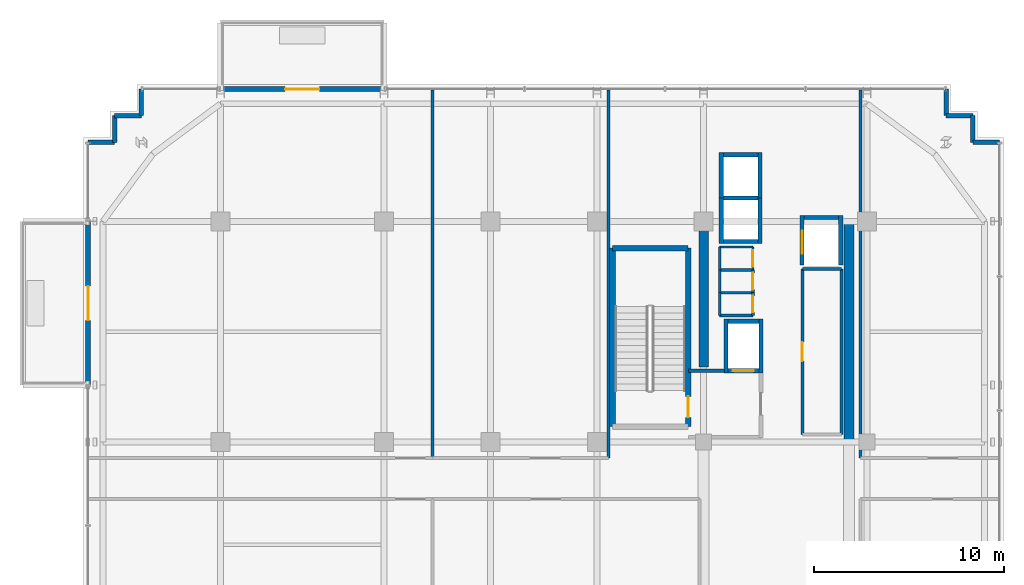
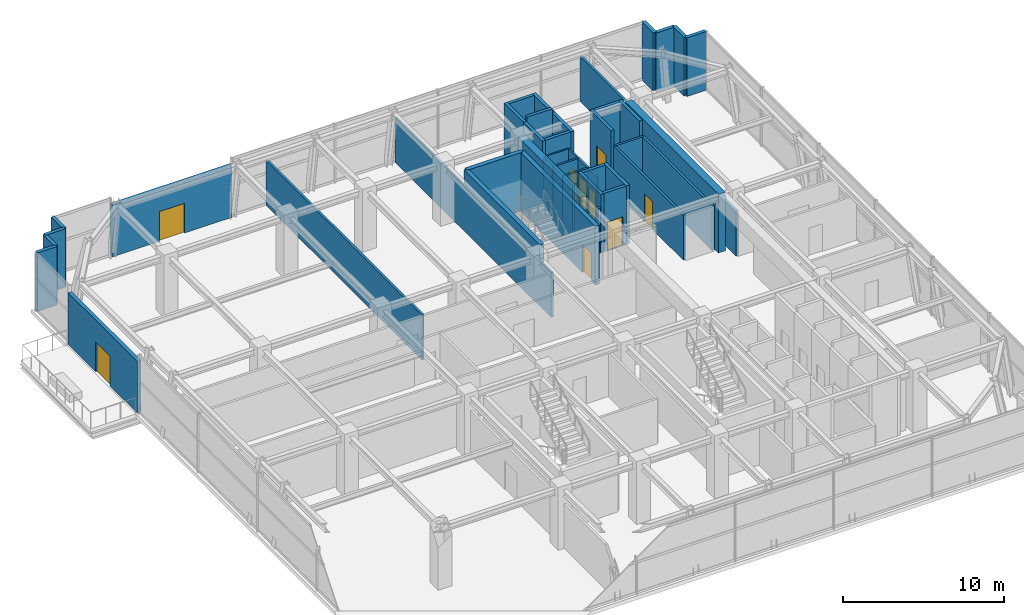
# One storey, part 23 of 28: 46 walls, 9 doors, 9 openings.
"""IFC4 building model written with IfcOpenShell, lengths in metres."""

import ifcopenshell
import ifcopenshell.guid

model = None  # the IFC model being written
_history = None  # IfcOwnerHistory: only IFC2X3 demands one
_inside = {}  # id of a spatial element -> (the spatial element, [elements in it])
_under = {}  # id of a project, library or spatial element -> (it, [spatial elements below it])
_declared = {}  # id of a project -> (the project, [libraries it declares])
_typed = {}  # id of a type object -> (the type object, [elements of that type])
_made_of = {}  # id of a material, layer set ... -> (it, [elements and type objects made of it])


def new_model(schema):
    """Start an empty IFC model of exactly this schema.

    Asked for "IFC4X3", IfcOpenShell would pick the latest addendum, in which some entities
    have other attributes; the version numbers below select the first issue.
    IFC2X3 requires an IfcOwnerHistory on every rooted entity: one is made here for all.
    """
    global model, _history
    if schema == "IFC4X3":
        model = ifcopenshell.file(schema_version=(4, 3, 0, 0))
    else:
        model = ifcopenshell.file(schema=schema)
    _inside.clear()
    _under.clear()
    _declared.clear()
    _typed.clear()
    _made_of.clear()
    _history = None
    if model.schema == "IFC2X3":
        org = make("IfcOrganization", Name="unknown")
        user = make(
            "IfcPersonAndOrganization",
            ThePerson=make("IfcPerson", FamilyName="unknown"),
            TheOrganization=org,
        )
        app = make(
            "IfcApplication",
            ApplicationDeveloper=org,
            Version="unknown",
            ApplicationFullName="unknown",
            ApplicationIdentifier="unknown",
        )
        _history = make(
            "IfcOwnerHistory",
            OwningUser=user,
            OwningApplication=app,
            ChangeAction="ADDED",
            CreationDate=0,
        )
    return model


def make(cls, **values):
    """One entity of the class cls with the attributes given. An attribute that is None is left unset."""
    return model.create_entity(
        cls, **{name: value for name, value in values.items() if value is not None}
    )


def rooted(cls, **values):
    """An entity with a GlobalId (a new one), such as an element, a storey or a relation."""
    return make(cls, GlobalId=ifcopenshell.guid.new(), OwnerHistory=_history, **values)


def si_unit(unit_type, name, prefix=None):
    """IfcSIUnit, for example si_unit("LENGTHUNIT", "METRE", prefix="MILLI")."""
    return make("IfcSIUnit", UnitType=unit_type, Prefix=prefix, Name=name)


def assignment(units):
    """IfcUnitAssignment: the units of a project."""
    return None if units is None else make("IfcUnitAssignment", Units=units)


def point(xyz):
    """IfcCartesianPoint."""
    return None if xyz is None else make("IfcCartesianPoint", Coordinates=xyz)


def direction(xyz):
    """IfcDirection."""
    return None if xyz is None else make("IfcDirection", DirectionRatios=xyz)


def frame(location, z_axis=None, x_axis=None):
    """IfcAxis2Placement3D, a coordinate frame: its origin and axes. An axis left out is left unset."""
    return make(
        "IfcAxis2Placement3D",
        Location=point(location),
        Axis=direction(z_axis),
        RefDirection=direction(x_axis),
    )


def frame_2d(location, x_axis=None):
    """IfcAxis2Placement2D, a coordinate frame in the plane: its origin and x axis."""
    return make(
        "IfcAxis2Placement2D", Location=point(location), RefDirection=direction(x_axis)
    )


def origin():
    """The frame at (0, 0, 0) with its axes left unset."""
    return frame((0.0, 0.0, 0.0))


def place(relative_to, where):
    """IfcLocalPlacement: puts the frame where relative to a parent placement (None: the world)."""
    return make(
        "IfcLocalPlacement", PlacementRelTo=relative_to, RelativePlacement=where
    )


def context(
    kind, dimensions, precision=None, world=None, true_north=None, identifier=None
):
    """IfcGeometricRepresentationContext, for example the 3D "Model" context."""
    return make(
        "IfcGeometricRepresentationContext",
        ContextIdentifier=identifier,
        ContextType=kind,
        CoordinateSpaceDimension=dimensions,
        Precision=precision,
        WorldCoordinateSystem=world,
        TrueNorth=true_north,
    )


def subcontext(parent, identifier, kind, view, scale=None):
    """IfcGeometricRepresentationSubContext, for example "Body" below "Model"."""
    return make(
        "IfcGeometricRepresentationSubContext",
        ContextIdentifier=identifier,
        ContextType=kind,
        ParentContext=parent,
        TargetScale=scale,
        TargetView=view,
    )


def project(units=None, contexts=None):
    """IfcProject with its units and contexts."""
    return rooted(
        "IfcProject",
        Name="project",
        RepresentationContexts=contexts,
        UnitsInContext=assignment(units),
    )


def spatial(cls, under=None, at=None, **own):
    """A site, building, storey or space (cls), placed at a placement, below another one or the project."""
    s = rooted(cls, ObjectPlacement=at, **own)
    if under is not None:
        _under.setdefault(under.id(), (under, []))[1].append(s)
    return s


def profile(cls, at=None, kind="AREA", **sizes):
    """A parametric profile (cls). Its sizes go by their IFC names, for example OverallWidth=200.0."""
    return make(cls, ProfileType=kind, Position=at, **sizes)


def rectangle(**sizes):
    """IfcRectangleProfileDef."""
    return profile("IfcRectangleProfileDef", **sizes)


def extrude(swept, where, along, depth):
    """IfcExtrudedAreaSolid: the profile swept, set in the frame where, extruded along a direction by depth."""
    return make(
        "IfcExtrudedAreaSolid",
        SweptArea=swept,
        Position=where,
        ExtrudedDirection=direction(along),
        Depth=depth,
    )


def shape(context_of_items, identifier, shape_type, items):
    """IfcShapeRepresentation: the items that make up one representation, for example the "Body"."""
    return make(
        "IfcShapeRepresentation",
        ContextOfItems=context_of_items,
        RepresentationIdentifier=identifier,
        RepresentationType=shape_type,
        Items=items,
    )


def source(mapping_origin, context_of_items, identifier, shape_type, items):
    """IfcRepresentationMap: a shape defined once, which mapped items show again and again."""
    return make(
        "IfcRepresentationMap",
        MappingOrigin=mapping_origin,
        MappedRepresentation=shape(context_of_items, identifier, shape_type, items),
    )


def transform(
    local_origin,
    x_axis=None,
    y_axis=None,
    z_axis=None,
    scale=None,
    scale2=None,
    scale3=None,
    uniform=True,
):
    """IfcCartesianTransformationOperator3D, or its non-uniform kind. x_axis, y_axis, z_axis: its Axis1, 2, 3."""
    if uniform:
        return make(
            "IfcCartesianTransformationOperator3D",
            Axis1=direction(x_axis),
            Axis2=direction(y_axis),
            LocalOrigin=point(local_origin),
            Scale=scale,
            Axis3=direction(z_axis),
        )
    return make(
        "IfcCartesianTransformationOperator3DnonUniform",
        Axis1=direction(x_axis),
        Axis2=direction(y_axis),
        LocalOrigin=point(local_origin),
        Scale=scale,
        Axis3=direction(z_axis),
        Scale2=scale2,
        Scale3=scale3,
    )


def mapped(mapping_source, mapping_target):
    """IfcMappedItem: shows the shape of a source again, moved by a transform."""
    return make(
        "IfcMappedItem", MappingSource=mapping_source, MappingTarget=mapping_target
    )


def material(Name=None, Category=None):
    """IfcMaterial."""
    return make("IfcMaterial", Name=Name, Category=Category)


def layer(
    of_material, thickness, ventilated=None, Name=None, Category=None, Priority=None
):
    """IfcMaterialLayer: one layer of a wall or slab, of a material (None: an air gap)."""
    return make(
        "IfcMaterialLayer",
        Material=of_material,
        LayerThickness=thickness,
        IsVentilated=ventilated,
        Name=Name,
        Category=Category,
        Priority=Priority,
    )


def layer_set(layers, Name=None):
    """IfcMaterialLayerSet."""
    return make("IfcMaterialLayerSet", MaterialLayers=layers, LayerSetName=Name)


def made_of(thing, what):
    """Note that an element or type object is made of a material, layer set ...; save() writes the relation."""
    if what is not None:
        _made_of.setdefault(what.id(), (what, []))[1].append(thing)
    return thing


def type_object(cls, material=None, **own):
    """A type object (cls), such as IfcWallType, which elements share."""
    return made_of(rooted(cls, **own), material)


def element(
    cls,
    number,
    at=None,
    inside=None,
    cuts=None,
    type_object=None,
    material=None,
    context=None,
    identifier="Body",
    shape_type=None,
    held_by="IfcProductDefinitionShape",
    body=None,
    shapes=None,
    **own,
):
    """One element of the class cls, such as IfcWall. Its Tag is "e" and its number.

    at: its placement. inside: the storey or other place that contains it. cuts: it is an
    opening in that element (IfcRelVoidsElement). A single representation is given by context,
    identifier, shape_type and body (its items); several are given by shapes. held_by: the class
    of the entity that holds the representations. save() writes the other relations.
    """
    e = rooted(cls, Tag="e%d" % number, ObjectPlacement=at, **own)
    if body is not None:
        shapes = [shape(context, identifier, shape_type, body)]
    if shapes is not None:
        e.Representation = make(held_by, Representations=shapes)
    if inside is not None:
        _inside.setdefault(inside.id(), (inside, []))[1].append(e)
    if cuts is not None:
        rooted(
            "IfcRelVoidsElement", RelatingBuildingElement=cuts, RelatedOpeningElement=e
        )
    if type_object is not None:
        _typed.setdefault(type_object.id(), (type_object, []))[1].append(e)
    return made_of(e, material)


def fill(opening, filler):
    """IfcRelFillsElement: the door or window that sits in an opening."""
    return rooted(
        "IfcRelFillsElement",
        RelatingOpeningElement=opening,
        RelatedBuildingElement=filler,
    )


def aggregate(whole, parts):
    """IfcRelAggregates: a whole, such as a stair, and the parts it consists of."""
    return rooted("IfcRelAggregates", RelatingObject=whole, RelatedObjects=parts)


def save(model, path):
    """Write the relations noted so far, then the file.

    IfcRelAggregates (storeys below a building ...), IfcRelContainedInSpatialStructure (elements
    in a storey), IfcRelDefinesByType, IfcRelAssociatesMaterial and IfcRelDeclares: one each for
    every whole, place, type object, material and project.
    """
    for whole, parts in _under.values():
        aggregate(whole, parts)
    for where, things in _inside.values():
        rooted(
            "IfcRelContainedInSpatialStructure",
            RelatedElements=things,
            RelatingStructure=where,
        )
    for kind, things in _typed.values():
        rooted("IfcRelDefinesByType", RelatedObjects=things, RelatingType=kind)
    for what, things in _made_of.values():
        rooted("IfcRelAssociatesMaterial", RelatedObjects=things, RelatingMaterial=what)
    for by, libraries in _declared.values():
        rooted("IfcRelDeclares", RelatingContext=by, RelatedDefinitions=libraries)
    model.write(path)


model = new_model("IFC4")

# Units and contexts
model_context = context("Model", 3, precision=1e-05, world=origin(), true_north=direction((0.0, 1.0)))
body_context = subcontext(model_context, "Body", "Model", "MODEL_VIEW")
ifc_project = project(units=[si_unit("LENGTHUNIT", "METRE"), si_unit("AREAUNIT", "SQUARE_METRE"), si_unit("VOLUMEUNIT", "CUBIC_METRE"), si_unit("PLANEANGLEUNIT", "RADIAN"), si_unit("MASSUNIT", "GRAM", prefix="KILO")], contexts=[model_context])

# Site, building, storey
site_placement = place(None, origin())
site = spatial("IfcSite", under=ifc_project, at=site_placement, CompositionType="ELEMENT")
building_placement = place(site_placement, origin())
building = spatial("IfcBuilding", under=site, at=building_placement, Name="Nahalor Promenade Grand Hotel", CompositionType="ELEMENT")
storey_placement = place(building_placement, frame((0.0, 0.0, 256.699951171875)))
storey = spatial("IfcBuildingStorey", under=building, at=storey_placement, Name="L66", CompositionType="ELEMENT", Elevation=256.699951171875)

# Walls
ifc_material_1 = material(Name="Concrete B-60 (C50/60)", Category="concrete")
ifc_layer_1 = layer(ifc_material_1, 0.5)
ifc_layer_set_1 = layer_set([ifc_layer_1], Name="Concrete B-60 (C50/60)")
wall_type_1 = type_object("IfcWallType", Name="Wall-CoreShear-500", PredefinedType="SHEAR", material=ifc_layer_set_1)
shared_shape_1 = source(origin(), body_context, "Body", "SweptSolid", [
    extrude(rectangle(XDim=7.64990234375, YDim=0.5, at=frame_2d((3.824951171875, 0.0))), origin(), (0.0, 0.0, 1.0), 4.43994140625),
])
wall_1_placement = place(storey_placement, frame((8.39990234375, 9.35009765625, 0.0), z_axis=(0.0, 0.0, 1.0), x_axis=(0.0, 1.0, 0.0)))
element("IfcWall", 1, at=wall_1_placement, inside=storey, type_object=wall_type_1, Name="CWALL-L66-NW", PredefinedType="SHEAR", context=body_context, shape_type="MappedRepresentation", body=[
    mapped(shared_shape_1, transform((0.0, 0.0, 0.0), scale=1.0)),
])
shared_shape_2 = source(origin(), body_context, "Body", "SweptSolid", [
    extrude(rectangle(XDim=11.60009765625, YDim=0.5, at=frame_2d((5.800048828125, 0.0))), origin(), (0.0, 0.0, 1.0), 4.43994140625),
])
wall_2_placement = place(storey_placement, frame((16.050048828125, 5.39990234375, 0.0), z_axis=(0.0, 0.0, 1.0), x_axis=(0.0, 1.0, 0.0)))
element("IfcWall", 2, at=wall_2_placement, inside=storey, type_object=wall_type_1, Name="CWALL-L66-NE", PredefinedType="SHEAR", context=body_context, shape_type="MappedRepresentation", body=[
    mapped(shared_shape_2, transform((0.0, 0.0, 0.0), scale=1.0)),
])
ifc_material_2 = material(Name="Concrete B-50 (C40/50)", Category="concrete")
ifc_layer_2 = layer(ifc_material_2, 0.300048828125)
ifc_layer_set_2 = layer_set([ifc_layer_2], Name="Concrete B-50 (C40/50)")
wall_type_2 = type_object("IfcWallType", Name="Wall-ShaftShear-300", PredefinedType="SHEAR", material=ifc_layer_set_2)
shared_shape_3 = source(origin(), body_context, "Body", "SweptSolid", [
    extrude(rectangle(XDim=3.97998046875, YDim=0.300048828125, at=frame_2d((1.989990234375, 0.0))), origin(), (0.0, 0.0, 1.0), 4.43994140625),
])
wall_3_placement = place(storey_placement, frame((3.610107421875, 15.590087890625, 0.0), z_axis=(0.0, 0.0, 1.0), x_axis=(1.0, 0.0, 0.0)))
element("IfcWall", 3, at=wall_3_placement, inside=storey, type_object=wall_type_2, Name="L66 Exit Stair ST1 Shaft Wall N", PredefinedType="SHEAR", context=body_context, shape_type="MappedRepresentation", body=[
    mapped(shared_shape_3, transform((0.0, 0.0, 0.0), scale=1.0)),
])
shared_shape_4 = source(origin(), body_context, "Body", "SweptSolid", [
    extrude(rectangle(XDim=9.380126953125, YDim=0.300048828125, at=frame_2d((4.68994140625, 0.0))), origin(), (0.0, 0.0, 1.0), 4.43994140625),
])
wall_4_placement = place(storey_placement, frame((3.610107421875, 6.2099609375, 0.0), z_axis=(0.0, 0.0, 1.0), x_axis=(0.0, 1.0, 0.0)))
element("IfcWall", 4, at=wall_4_placement, inside=storey, type_object=wall_type_2, Name="L66 Exit Stair ST1 Shaft Wall W", PredefinedType="SHEAR", context=body_context, shape_type="MappedRepresentation", body=[
    mapped(shared_shape_4, transform((0.0, 0.0, 0.0), scale=1.0)),
])

# Wall, opening, door
wall_5_placement = place(storey_placement, frame((7.590087890625, 6.2099609375, 0.0), z_axis=(0.0, 0.0, 1.0), x_axis=(0.0, 1.0, 0.0)))
wall_5 = element("IfcWall", 5, at=wall_5_placement, inside=storey, type_object=wall_type_2, Name="L66 Exit Stair ST1 Shaft Wall E", PredefinedType="SHEAR", context=body_context, shape_type="MappedRepresentation", body=[
    mapped(shared_shape_4, transform((0.0, 0.0, 0.0), scale=1.0)),
])
opening_1_placement = place(wall_5_placement, frame((0.489990234375, 0.0, 0.0)))
opening_1 = element("IfcOpeningElement", 6, at=opening_1_placement, cuts=wall_5, Name="Opening D-ST1", PredefinedType="OPENING", context=body_context, shape_type="SweptSolid", body=[
    extrude(rectangle(XDim=1.10009765625, YDim=2.14990234375, at=frame_2d((0.550048828125, 1.074951171875))), frame((0.0, 0.159912109375, 0.0), z_axis=(0.0, -1.0, 0.0), x_axis=(1.0, 0.0, 0.0)), (0.0, 0.0, 1.0), 0.320068359375),
])
ifc_material_3 = material(Name="Steel S355JR", Category="steel")
door_type_1 = type_object("IfcDoorType", Name="Door-StairFire-1100", OperationType="NOTDEFINED", PredefinedType="DOOR", material=ifc_material_3)
shared_shape_5 = source(origin(), body_context, "Body", "SweptSolid", [
    extrude(rectangle(XDim=1.10009765625, YDim=2.14990234375, at=frame_2d((0.550048828125, 1.074951171875))), frame((0.0, 0.02490234375, 0.0), z_axis=(0.0, -1.0, 0.0), x_axis=(1.0, 0.0, 0.0)), (0.0, 0.0, 1.0), 0.050048828125),
])
door_1_placement = place(opening_1_placement, origin())
door_1 = element("IfcDoor", 7, at=door_1_placement, inside=storey, type_object=door_type_1, Name="DR-STAIR-ST1-L66", OperationType="SINGLE_SWING_LEFT", OverallHeight=2.14990234375, OverallWidth=1.10009765625, PredefinedType="DOOR", context=body_context, shape_type="MappedRepresentation", body=[
    mapped(shared_shape_5, transform((0.0, 0.0, 0.0), scale=1.0)),
])
fill(opening_1, door_1)

# Walls
ifc_layer_3 = layer(ifc_material_2, 0.219970703125)
ifc_layer_set_3 = layer_set([ifc_layer_3], Name="Concrete B-50 (C40/50)")
wall_type_3 = type_object("IfcWallType", Name="Wall-LiftShaft-220", PredefinedType="SHEAR", material=ifc_layer_set_3)
shared_shape_6 = source(origin(), body_context, "Body", "SweptSolid", [
    extrude(rectangle(XDim=1.820068359375, YDim=0.219970703125, at=frame_2d((0.91015625, 0.0))), origin(), (0.0, 0.0, 1.0), 4.800048828125),
])
wall_6_placement = place(storey_placement, frame((9.43994140625, 18.22509765625, 0.0), z_axis=(0.0, 0.0, 1.0), x_axis=(1.0, 0.0, 0.0)))
element("IfcWall", 8, at=wall_6_placement, inside=storey, type_object=wall_type_3, Name="L66 Lift OB1 Hoistway Wall N", PredefinedType="SHEAR", context=body_context, shape_type="MappedRepresentation", body=[
    mapped(shared_shape_6, transform((0.0, 0.0, 0.0), scale=1.0)),
])
shared_shape_7 = source(origin(), body_context, "Body", "SweptSolid", [
    extrude(rectangle(XDim=1.820068359375, YDim=0.219970703125, at=frame_2d((0.91015625, 0.0))), origin(), (0.0, 0.0, 1.0), 4.43994140625),
])
for number, where, z_axis, x_axis, name in (
    (9, (9.43994140625, 15.949951171875, 0.0), (0.0, 0.0, 1.0), (1.0, 0.0, 0.0), "L66 Lift OB1 Hoistway Wall S"),
    (10, (9.43994140625, 20.5, 0.0), (0.0, 0.0, 1.0), (1.0, 0.0, 0.0), "L66 Lift OB2 Hoistway Wall N"),
    (11, (13.68994140625, 17.199951171875, 0.0), (0.0, 0.0, 1.0), (1.0, 0.0, 0.0), "L66 Lift SV1 Hoistway Wall N"),
):
    element("IfcWall", number, at=place(storey_placement, frame(where, z_axis=z_axis, x_axis=x_axis)), inside=storey, type_object=wall_type_3, Name=name, PredefinedType="SHEAR", context=body_context, shape_type="MappedRepresentation", body=[
        mapped(shared_shape_7, transform((0.0, 0.0, 0.0), scale=1.0)),
    ])
shared_shape_8 = source(origin(), body_context, "Body", "SweptSolid", [
    extrude(rectangle(XDim=2.385009765625, YDim=0.219970703125, at=frame_2d((1.1923828125, 0.0))), origin(), (0.0, 0.0, 1.0), 4.43994140625),
])
for number, where, z_axis, x_axis, name in (
    (12, (9.330078125, 15.840087890625, 0.0), (0.0, 0.0, 1.0), (0.0, 1.0, 0.0), "L66 Lift OB1 Hoistway Wall W"),
    (13, (11.3701171875, 15.840087890625, 0.0), (0.0, 0.0, 1.0), (0.0, 1.0, 0.0), "L66 Lift OB1 Hoistway Wall E"),
    (14, (9.330078125, 18.22509765625, 0.0), (0.0, 0.0, 1.0), (0.0, 1.0, 0.0), "L66 Lift OB2 Hoistway Wall W"),
    (15, (11.3701171875, 18.22509765625, 0.0), (0.0, 0.0, 1.0), (0.0, 1.0, 0.0), "L66 Lift OB2 Hoistway Wall E"),
):
    element("IfcWall", number, at=place(storey_placement, frame(where, z_axis=z_axis, x_axis=x_axis)), inside=storey, type_object=wall_type_3, Name=name, PredefinedType="SHEAR", context=body_context, shape_type="MappedRepresentation", body=[
        mapped(shared_shape_8, transform((0.0, 0.0, 0.0), scale=1.0)),
    ])
shared_shape_9 = source(origin(), body_context, "Body", "SweptSolid", [
    extrude(rectangle(XDim=2.820068359375, YDim=0.219970703125, at=frame_2d((1.41015625, 0.0))), origin(), (0.0, 0.0, 1.0), 4.43994140625),
])
for number, where, z_axis, x_axis, name in (
    (16, (9.580078125, 9.0400390625, 0.0), (0.0, 0.0, 1.0), (0.0, 1.0, 0.0), "L66 Lift FL1 Hoistway Wall W"),
    (17, (11.419921875, 9.0400390625, 0.0), (0.0, 0.0, 1.0), (0.0, 1.0, 0.0), "L66 Lift FL1 Hoistway Wall E"),
):
    element("IfcWall", number, at=place(storey_placement, frame(where, z_axis=z_axis, x_axis=x_axis)), inside=storey, type_object=wall_type_3, Name=name, PredefinedType="SHEAR", context=body_context, shape_type="MappedRepresentation", body=[
        mapped(shared_shape_9, transform((0.0, 0.0, 0.0), scale=1.0)),
    ])

# Wall, opening, door
shared_shape_10 = source(origin(), body_context, "Body", "SweptSolid", [
    extrude(rectangle(XDim=1.6201171875, YDim=0.219970703125, at=frame_2d((0.81005859375, 0.0))), origin(), (0.0, 0.0, 1.0), 4.43994140625),
])
wall_7_placement = place(storey_placement, frame((9.68994140625, 9.14990234375, 0.0), z_axis=(0.0, 0.0, 1.0), x_axis=(1.0, 0.0, 0.0)))
wall_7 = element("IfcWall", 18, at=wall_7_placement, inside=storey, type_object=wall_type_3, Name="L66 Lift FL1 Hoistway Wall S", PredefinedType="SHEAR", context=body_context, shape_type="MappedRepresentation", body=[
    mapped(shared_shape_10, transform((0.0, 0.0, 0.0), scale=1.0)),
])
opening_2_placement = place(wall_7_placement, frame((0.260009765625, 0.0, 0.0)))
opening_2 = element("IfcOpeningElement", 19, at=opening_2_placement, cuts=wall_7, Name="Opening LD-02", PredefinedType="OPENING", context=body_context, shape_type="SweptSolid", body=[
    extrude(rectangle(XDim=1.10009765625, YDim=2.199951171875, at=frame_2d((0.550048828125, 1.10009765625))), frame((0.0, 0.119873046875, 0.0), z_axis=(0.0, -1.0, 0.0), x_axis=(1.0, 0.0, 0.0)), (0.0, 0.0, 1.0), 0.239990234375),
])
door_type_2 = type_object("IfcDoorType", Name="Door-LiftFF-1100", OperationType="DOUBLE_DOOR_SLIDING", PredefinedType="DOOR", material=ifc_material_3)
shared_shape_11 = source(origin(), body_context, "Body", "SweptSolid", [
    extrude(rectangle(XDim=1.10009765625, YDim=2.199951171875, at=frame_2d((0.550048828125, 1.10009765625))), frame((0.0, 0.02490234375, 0.0), z_axis=(0.0, -1.0, 0.0), x_axis=(1.0, 0.0, 0.0)), (0.0, 0.0, 1.0), 0.050048828125),
])
door_2_placement = place(opening_2_placement, frame((1.10009765625, 0.0, 0.0), z_axis=(0.0, 0.0, 1.0), x_axis=(-1.0, 0.0, 0.0)))
door_2 = element("IfcDoor", 20, at=door_2_placement, inside=storey, type_object=door_type_2, Name="DR-LIFT-FL1-L66", OperationType="DOUBLE_DOOR_SLIDING", OverallHeight=2.199951171875, OverallWidth=1.10009765625, PredefinedType="DOOR", context=body_context, shape_type="MappedRepresentation", body=[
    mapped(shared_shape_11, transform((0.0, 0.0, 0.0), scale=1.0)),
])
fill(opening_2, door_2)

# Wall
wall_8_placement = place(storey_placement, frame((9.68994140625, 11.75, 0.0), z_axis=(0.0, 0.0, 1.0), x_axis=(1.0, 0.0, 0.0)))
element("IfcWall", 21, at=wall_8_placement, inside=storey, type_object=wall_type_3, Name="L66 Lift FL1 Hoistway Wall N", PredefinedType="SHEAR", context=body_context, shape_type="MappedRepresentation", body=[
    mapped(shared_shape_10, transform((0.0, 0.0, 0.0), scale=1.0)),
])

# Wall, opening, door
shared_shape_12 = source(origin(), body_context, "Body", "SweptSolid", [
    extrude(rectangle(XDim=2.610107421875, YDim=0.219970703125, at=frame_2d((1.30517578125, 0.0))), origin(), (0.0, 0.0, 1.0), 4.43994140625),
])
wall_9_placement = place(storey_placement, frame((13.580078125, 14.699951171875, 0.0), z_axis=(0.0, 0.0, 1.0), x_axis=(0.0, 1.0, 0.0)))
wall_9 = element("IfcWall", 22, at=wall_9_placement, inside=storey, type_object=wall_type_3, Name="L66 Lift SV1 Hoistway Wall W", PredefinedType="SHEAR", context=body_context, shape_type="MappedRepresentation", body=[
    mapped(shared_shape_12, transform((0.0, 0.0, 0.0), scale=1.0)),
])
opening_3_placement = place(wall_9_placement, frame((0.60009765625, 0.0, 0.0)))
opening_3 = element("IfcOpeningElement", 23, at=opening_3_placement, cuts=wall_9, Name="Opening LD-03", PredefinedType="OPENING", context=body_context, shape_type="SweptSolid", body=[
    extrude(rectangle(XDim=1.199951171875, YDim=2.199951171875, at=frame_2d((0.60009765625, 1.10009765625))), frame((0.0, 0.119873046875, 0.0), z_axis=(0.0, -1.0, 0.0), x_axis=(1.0, 0.0, 0.0)), (0.0, 0.0, 1.0), 0.239990234375),
])
door_type_3 = type_object("IfcDoorType", Name="Door-LiftService-1200", OperationType="DOUBLE_DOOR_SLIDING", PredefinedType="DOOR", material=ifc_material_3)
shared_shape_13 = source(origin(), body_context, "Body", "SweptSolid", [
    extrude(rectangle(XDim=1.199951171875, YDim=2.199951171875, at=frame_2d((0.60009765625, 1.10009765625))), frame((0.0, 0.02490234375, 0.0), z_axis=(0.0, -1.0, 0.0), x_axis=(1.0, 0.0, 0.0)), (0.0, 0.0, 1.0), 0.050048828125),
])
door_3_placement = place(opening_3_placement, origin())
door_3 = element("IfcDoor", 24, at=door_3_placement, inside=storey, type_object=door_type_3, Name="DR-LIFT-SV1-L66", OperationType="DOUBLE_DOOR_SLIDING", OverallHeight=2.199951171875, OverallWidth=1.199951171875, PredefinedType="DOOR", context=body_context, shape_type="MappedRepresentation", body=[
    mapped(shared_shape_13, transform((0.0, 0.0, 0.0), scale=1.0)),
])
fill(opening_3, door_3)

# Wall
wall_10_placement = place(storey_placement, frame((15.6201171875, 14.699951171875, 0.0), z_axis=(0.0, 0.0, 1.0), x_axis=(0.0, 1.0, 0.0)))
element("IfcWall", 25, at=wall_10_placement, inside=storey, type_object=wall_type_3, Name="L66 Lift SV1 Hoistway Wall E", PredefinedType="SHEAR", context=body_context, shape_type="MappedRepresentation", body=[
    mapped(shared_shape_12, transform((0.0, 0.0, 0.0), scale=1.0)),
])

# Wall, opening, door
ifc_material_4 = material(Name="Concrete B-40 (C32/40)", Category="concrete")
ifc_layer_4 = layer(ifc_material_4, 0.260009765625)
ifc_layer_set_4 = layer_set([ifc_layer_4], Name="Concrete B-40 (C32/40)")
wall_type_4 = type_object("IfcWallType", Name="Wall-BalconyWall-260", PredefinedType="STANDARD", material=ifc_layer_set_4)
shared_shape_14 = source(origin(), body_context, "Body", "SweptSolid", [
    extrude(rectangle(XDim=8.60009765625, YDim=0.260009765625, at=frame_2d((4.300048828125, 0.0))), origin(), (0.0, 0.0, 1.0), 3.920166015625),
])
wall_11_placement = place(storey_placement, frame((-17.0, 23.9599609375, 0.0), z_axis=(0.0, 0.0, 1.0), x_axis=(1.0, 0.0, 0.0)))
wall_11 = element("IfcWall", 26, at=wall_11_placement, inside=storey, type_object=wall_type_4, Name="W-L66-BALC-N-2", PredefinedType="STANDARD", context=body_context, shape_type="MappedRepresentation", body=[
    mapped(shared_shape_14, transform((0.0, 0.0, 0.0), scale=1.0)),
])
opening_4_placement = place(wall_11_placement, frame((3.39990234375, 0.0, 0.0)))
opening_4 = element("IfcOpeningElement", 27, at=opening_4_placement, cuts=wall_11, Name="Opening D-BC1", PredefinedType="OPENING", context=body_context, shape_type="SweptSolid", body=[
    extrude(rectangle(XDim=1.800048828125, YDim=2.25, at=frame_2d((0.89990234375, 1.125))), frame((0.0, 0.139892578125, 0.0), z_axis=(0.0, -1.0, 0.0), x_axis=(1.0, 0.0, 0.0)), (0.0, 0.0, 1.0), 0.280029296875),
])
ifc_material_5 = material(Name="Anodised Bronze Aluminium EN AW-6063 T6", Category="aluminium")
door_type_4 = type_object("IfcDoorType", Name="Door-BalconySlide-1800", OperationType="DOUBLE_DOOR_SLIDING", PredefinedType="DOOR", material=ifc_material_5)
shared_shape_15 = source(origin(), body_context, "Body", "SweptSolid", [
    extrude(rectangle(XDim=1.800048828125, YDim=2.25, at=frame_2d((0.89990234375, 1.125))), frame((0.0, 0.02490234375, 0.0), z_axis=(0.0, -1.0, 0.0), x_axis=(1.0, 0.0, 0.0)), (0.0, 0.0, 1.0), 0.050048828125),
])
door_4_placement = place(opening_4_placement, origin())
door_4 = element("IfcDoor", 28, at=door_4_placement, inside=storey, type_object=door_type_4, Name="DR-L66-BALC-N-2", OperationType="DOUBLE_DOOR_SLIDING", OverallHeight=2.25, OverallWidth=1.800048828125, PredefinedType="DOOR", context=body_context, shape_type="MappedRepresentation", body=[
    mapped(shared_shape_15, transform((0.0, 0.0, 0.0), scale=1.0)),
])
fill(opening_4, door_4)

wall_12_placement = place(storey_placement, frame((-23.9599609375, 8.39990234375, 0.0), z_axis=(0.0, 0.0, 1.0), x_axis=(0.0, 1.0, 0.0)))
wall_12 = element("IfcWall", 29, at=wall_12_placement, inside=storey, type_object=wall_type_4, Name="W-L66-BALC-W-2", PredefinedType="STANDARD", context=body_context, shape_type="MappedRepresentation", body=[
    mapped(shared_shape_14, transform((0.0, 0.0, 0.0), scale=1.0)),
])
opening_5_placement = place(wall_12_placement, frame((3.39990234375, 0.0, 0.0)))
opening_5 = element("IfcOpeningElement", 30, at=opening_5_placement, cuts=wall_12, Name="Opening D-BC1", PredefinedType="OPENING", context=body_context, shape_type="SweptSolid", body=[
    extrude(rectangle(XDim=1.800048828125, YDim=2.25, at=frame_2d((0.89990234375, 1.125))), frame((0.0, 0.139892578125, 0.0), z_axis=(0.0, -1.0, 0.0), x_axis=(1.0, 0.0, 0.0)), (0.0, 0.0, 1.0), 0.280029296875),
])
door_5_placement = place(opening_5_placement, origin())
door_5 = element("IfcDoor", 31, at=door_5_placement, inside=storey, type_object=door_type_4, Name="DR-L66-BALC-W-2", OperationType="DOUBLE_DOOR_SLIDING", OverallHeight=2.25, OverallWidth=1.800048828125, PredefinedType="DOOR", context=body_context, shape_type="MappedRepresentation", body=[
    mapped(shared_shape_15, transform((0.0, 0.0, 0.0), scale=1.0)),
])
fill(opening_5, door_5)

# Walls
ifc_layer_5 = layer(ifc_material_4, 0.25)
ifc_layer_set_5 = layer_set([ifc_layer_5], Name="Concrete B-40 (C32/40)")
wall_type_5 = type_object("IfcWallType", Name="Wall-BronzePier-250", PredefinedType="STANDARD", material=ifc_layer_set_5)
shared_shape_16 = source(origin(), body_context, "Body", "SweptSolid", [
    extrude(rectangle(XDim=1.39990234375, YDim=0.25, at=frame_2d((0.699951171875, 0.0))), origin(), (0.0, 0.0, 1.0), 4.43994140625),
])
for number, where, z_axis, x_axis, name in (
    (32, (22.56005859375, 21.159912109375, 0.0), (0.0, 0.0, 1.0), (1.0, 0.0, 0.0), "W-L66-SR-05"),
    (33, (21.159912109375, 22.56005859375, 0.0), (0.0, 0.0, 1.0), (0.0, 1.0, 0.0), "W-L66-SR-08"),
    (34, (-21.159912109375, 22.56005859375, 0.0), (0.0, 0.0, 1.0), (0.0, 1.0, 0.0), "W-L66-SR-09"),
    (35, (-23.9599609375, 21.159912109375, 0.0), (0.0, 0.0, 1.0), (1.0, 0.0, 0.0), "W-L66-SR-12"),
):
    element("IfcWall", number, at=place(storey_placement, frame(where, z_axis=z_axis, x_axis=x_axis)), inside=storey, type_object=wall_type_5, Name=name, PredefinedType="STANDARD", context=body_context, shape_type="MappedRepresentation", body=[
        mapped(shared_shape_16, transform((0.0, 0.0, 0.0), scale=1.0)),
    ])
shared_shape_17 = source(origin(), body_context, "Body", "SweptSolid", [
    extrude(rectangle(XDim=1.400146484375, YDim=0.25, at=frame_2d((0.7001953125, 0.0))), origin(), (0.0, 0.0, 1.0), 4.43994140625),
])
for number, where, z_axis, x_axis, name in (
    (36, (22.56005859375, 21.159912109375, 0.0), (0.0, 0.0, 1.0), (0.0, 1.0, 0.0), "W-L66-SR-06"),
    (37, (21.159912109375, 22.56005859375, 0.0), (0.0, 0.0, 1.0), (1.0, 0.0, 0.0), "W-L66-SR-07"),
    (38, (-22.56005859375, 22.56005859375, 0.0), (0.0, 0.0, 1.0), (1.0, 0.0, 0.0), "W-L66-SR-10"),
    (39, (-22.56005859375, 21.159912109375, 0.0), (0.0, 0.0, 1.0), (0.0, 1.0, 0.0), "W-L66-SR-11"),
):
    element("IfcWall", number, at=place(storey_placement, frame(where, z_axis=z_axis, x_axis=x_axis)), inside=storey, type_object=wall_type_5, Name=name, PredefinedType="STANDARD", context=body_context, shape_type="MappedRepresentation", body=[
        mapped(shared_shape_17, transform((0.0, 0.0, 0.0), scale=1.0)),
    ])
ifc_layer_6 = layer(ifc_material_4, 0.199951171875)
ifc_layer_set_6 = layer_set([ifc_layer_6], Name="Concrete B-40 (C32/40)")
wall_type_6 = type_object("IfcWallType", Name="Wall-PartFire-200", PredefinedType="PARTITIONING", material=ifc_layer_set_6)
shared_shape_18 = source(origin(), body_context, "Body", "SweptSolid", [
    extrude(rectangle(XDim=1.89990234375, YDim=0.199951171875, at=frame_2d((0.949951171875, 0.0))), origin(), (0.0, 0.0, 1.0), 3.400146484375),
])
wall_13_placement = place(storey_placement, frame((7.60009765625, 9.14990234375, 0.0), z_axis=(0.0, 0.0, 1.0), x_axis=(1.0, 0.0, 0.0)))
element("IfcWall", 40, at=wall_13_placement, inside=storey, type_object=wall_type_6, Name="W-L66-FF1-N", PredefinedType="PARTITIONING", context=body_context, shape_type="MappedRepresentation", body=[
    mapped(shared_shape_18, transform((0.0, 0.0, 0.0), scale=1.0)),
])
ifc_material_6 = material(Name="Acoustic Mineral Gypsum", Category="gypsum")
ifc_layer_7 = layer(ifc_material_6, 0.14990234375)
ifc_layer_set_7 = layer_set([ifc_layer_7], Name="Acoustic Mineral Gypsum")
wall_type_7 = type_object("IfcWallType", Name="Wall-PartService-150", PredefinedType="PARTITIONING", material=ifc_layer_set_7)
shared_shape_19 = source(origin(), body_context, "Body", "SweptSolid", [
    extrude(rectangle(XDim=1.75, YDim=0.14990234375, at=frame_2d((0.875, 0.0))), origin(), (0.0, 0.0, 1.0), 3.400146484375),
])
for number, where, z_axis, x_axis, name in (
    (41, (9.25, 12.050048828125, 0.0), (0.0, 0.0, 1.0), (1.0, 0.0, 0.0), "W-L66-CK3A-S"),
    (42, (9.25, 13.25, 0.0), (0.0, 0.0, 1.0), (1.0, 0.0, 0.0), "W-L66-CK3A-N"),
    (43, (9.25, 14.449951171875, 0.0), (0.0, 0.0, 1.0), (1.0, 0.0, 0.0), "W-L66-CK3B-N"),
):
    element("IfcWall", number, at=place(storey_placement, frame(where, z_axis=z_axis, x_axis=x_axis)), inside=storey, type_object=wall_type_7, Name=name, PredefinedType="PARTITIONING", context=body_context, shape_type="MappedRepresentation", body=[
        mapped(shared_shape_19, transform((0.0, 0.0, 0.0), scale=1.0)),
    ])
shared_shape_20 = source(origin(), body_context, "Body", "SweptSolid", [
    extrude(rectangle(XDim=1.199951171875, YDim=0.14990234375, at=frame_2d((0.60009765625, 0.0))), origin(), (0.0, 0.0, 1.0), 3.400146484375),
])
wall_14_placement = place(storey_placement, frame((9.25, 12.050048828125, 0.0), z_axis=(0.0, 0.0, 1.0), x_axis=(0.0, 1.0, 0.0)))
element("IfcWall", 44, at=wall_14_placement, inside=storey, type_object=wall_type_7, Name="W-L66-CK3A-W", PredefinedType="PARTITIONING", context=body_context, shape_type="MappedRepresentation", body=[
    mapped(shared_shape_20, transform((0.0, 0.0, 0.0), scale=1.0)),
])

# Wall, opening, door
wall_15_placement = place(storey_placement, frame((11.0, 12.050048828125, 0.0), z_axis=(0.0, 0.0, 1.0), x_axis=(0.0, 1.0, 0.0)))
wall_15 = element("IfcWall", 45, at=wall_15_placement, inside=storey, type_object=wall_type_7, Name="W-L66-CK3A-E", PredefinedType="PARTITIONING", context=body_context, shape_type="MappedRepresentation", body=[
    mapped(shared_shape_20, transform((0.0, 0.0, 0.0), scale=1.0)),
])
opening_6_placement = place(wall_15_placement, frame((0.159912109375, 0.0, 0.0)))
opening_6 = element("IfcOpeningElement", 46, at=opening_6_placement, cuts=wall_15, Name="Opening D-03", PredefinedType="OPENING", context=body_context, shape_type="SweptSolid", body=[
    extrude(rectangle(XDim=0.8798828125, YDim=2.10009765625, at=frame_2d((0.43994140625, 1.050048828125))), frame((0.0, 0.0849609375, 0.0), z_axis=(0.0, -1.0, 0.0), x_axis=(1.0, 0.0, 0.0)), (0.0, 0.0, 1.0), 0.169921875),
])
ifc_material_7 = material(Name="Fire-Rated Timber Composite", Category="wood")
door_type_5 = type_object("IfcDoorType", Name="Door-BathSwing-880", OperationType="NOTDEFINED", PredefinedType="DOOR", material=ifc_material_7)
shared_shape_21 = source(origin(), body_context, "Body", "SweptSolid", [
    extrude(rectangle(XDim=0.8798828125, YDim=2.10009765625, at=frame_2d((0.43994140625, 1.050048828125))), frame((0.0, 0.02490234375, 0.0), z_axis=(0.0, -1.0, 0.0), x_axis=(1.0, 0.0, 0.0)), (0.0, 0.0, 1.0), 0.050048828125),
])
door_6_placement = place(opening_6_placement, origin())
door_6 = element("IfcDoor", 47, at=door_6_placement, inside=storey, type_object=door_type_5, Name="DR-L66-CK3A", OperationType="SINGLE_SWING_LEFT", OverallHeight=2.10009765625, OverallWidth=0.8798828125, PredefinedType="DOOR", context=body_context, shape_type="MappedRepresentation", body=[
    mapped(shared_shape_21, transform((0.0, 0.0, 0.0), scale=1.0)),
])
fill(opening_6, door_6)

# Wall
wall_16_placement = place(storey_placement, frame((9.25, 13.25, 0.0), z_axis=(0.0, 0.0, 1.0), x_axis=(0.0, 1.0, 0.0)))
element("IfcWall", 48, at=wall_16_placement, inside=storey, type_object=wall_type_7, Name="W-L66-CK3B-W", PredefinedType="PARTITIONING", context=body_context, shape_type="MappedRepresentation", body=[
    mapped(shared_shape_20, transform((0.0, 0.0, 0.0), scale=1.0)),
])

# Wall, opening, door
wall_17_placement = place(storey_placement, frame((11.0, 13.25, 0.0), z_axis=(0.0, 0.0, 1.0), x_axis=(0.0, 1.0, 0.0)))
wall_17 = element("IfcWall", 49, at=wall_17_placement, inside=storey, type_object=wall_type_7, Name="W-L66-CK3B-E", PredefinedType="PARTITIONING", context=body_context, shape_type="MappedRepresentation", body=[
    mapped(shared_shape_20, transform((0.0, 0.0, 0.0), scale=1.0)),
])
opening_7_placement = place(wall_17_placement, frame((0.159912109375, 0.0, 0.0)))
opening_7 = element("IfcOpeningElement", 50, at=opening_7_placement, cuts=wall_17, Name="Opening D-03", PredefinedType="OPENING", context=body_context, shape_type="SweptSolid", body=[
    extrude(rectangle(XDim=0.8798828125, YDim=2.10009765625, at=frame_2d((0.43994140625, 1.050048828125))), frame((0.0, 0.0849609375, 0.0), z_axis=(0.0, -1.0, 0.0), x_axis=(1.0, 0.0, 0.0)), (0.0, 0.0, 1.0), 0.169921875),
])
door_7_placement = place(opening_7_placement, origin())
door_7 = element("IfcDoor", 51, at=door_7_placement, inside=storey, type_object=door_type_5, Name="DR-L66-CK3B", OperationType="SINGLE_SWING_RIGHT", OverallHeight=2.10009765625, OverallWidth=0.8798828125, PredefinedType="DOOR", context=body_context, shape_type="MappedRepresentation", body=[
    mapped(shared_shape_21, transform((0.0, 0.0, 0.0), scale=1.0)),
])
fill(opening_7, door_7)

# Walls
ifc_layer_8 = layer(ifc_material_6, 0.1201171875)
ifc_layer_set_8 = layer_set([ifc_layer_8], Name="Acoustic Mineral Gypsum")
wall_type_8 = type_object("IfcWallType", Name="Wall-PartBath-120", PredefinedType="PARTITIONING", material=ifc_layer_set_8)
shared_shape_22 = source(origin(), body_context, "Body", "SweptSolid", [
    extrude(rectangle(XDim=1.75, YDim=0.1201171875, at=frame_2d((0.875, 0.0))), origin(), (0.0, 0.0, 1.0), 3.400146484375),
])
wall_18_placement = place(storey_placement, frame((9.25, 15.64990234375, 0.0), z_axis=(0.0, 0.0, 1.0), x_axis=(1.0, 0.0, 0.0)))
element("IfcWall", 52, at=wall_18_placement, inside=storey, type_object=wall_type_8, Name="W-L66-CK3C-N", PredefinedType="PARTITIONING", context=body_context, shape_type="MappedRepresentation", body=[
    mapped(shared_shape_22, transform((0.0, 0.0, 0.0), scale=1.0)),
])
shared_shape_23 = source(origin(), body_context, "Body", "SweptSolid", [
    extrude(rectangle(XDim=1.199951171875, YDim=0.1201171875, at=frame_2d((0.60009765625, 0.0))), origin(), (0.0, 0.0, 1.0), 3.400146484375),
])
wall_19_placement = place(storey_placement, frame((9.25, 14.449951171875, 0.0), z_axis=(0.0, 0.0, 1.0), x_axis=(0.0, 1.0, 0.0)))
element("IfcWall", 53, at=wall_19_placement, inside=storey, type_object=wall_type_8, Name="W-L66-CK3C-W", PredefinedType="PARTITIONING", context=body_context, shape_type="MappedRepresentation", body=[
    mapped(shared_shape_23, transform((0.0, 0.0, 0.0), scale=1.0)),
])

# Wall, opening, door
wall_20_placement = place(storey_placement, frame((11.0, 14.449951171875, 0.0), z_axis=(0.0, 0.0, 1.0), x_axis=(0.0, 1.0, 0.0)))
wall_20 = element("IfcWall", 54, at=wall_20_placement, inside=storey, type_object=wall_type_8, Name="W-L66-CK3C-E", PredefinedType="PARTITIONING", context=body_context, shape_type="MappedRepresentation", body=[
    mapped(shared_shape_23, transform((0.0, 0.0, 0.0), scale=1.0)),
])
opening_8_placement = place(wall_20_placement, frame((0.159912109375, 0.0, 0.0)))
opening_8 = element("IfcOpeningElement", 55, at=opening_8_placement, cuts=wall_20, Name="Opening D-03", PredefinedType="OPENING", context=body_context, shape_type="SweptSolid", body=[
    extrude(rectangle(XDim=0.8798828125, YDim=2.10009765625, at=frame_2d((0.43994140625, 1.050048828125))), frame((0.0, 0.070068359375, 0.0), z_axis=(0.0, -1.0, 0.0), x_axis=(1.0, 0.0, 0.0)), (0.0, 0.0, 1.0), 0.14013671875),
])
door_8_placement = place(opening_8_placement, origin())
door_8 = element("IfcDoor", 56, at=door_8_placement, inside=storey, type_object=door_type_5, Name="DR-L66-CK3C", OperationType="SINGLE_SWING_LEFT", OverallHeight=2.10009765625, OverallWidth=0.8798828125, PredefinedType="DOOR", context=body_context, shape_type="MappedRepresentation", body=[
    mapped(shared_shape_21, transform((0.0, 0.0, 0.0), scale=1.0)),
])
fill(opening_8, door_8)

# Wall
ifc_layer_9 = layer(ifc_material_6, 0.159912109375)
ifc_layer_set_9 = layer_set([ifc_layer_9], Name="Acoustic Mineral Gypsum")
wall_type_9 = type_object("IfcWallType", Name="Wall-PartCorridor-160", PredefinedType="PARTITIONING", material=ifc_layer_set_9)
shared_shape_24 = source(origin(), body_context, "Body", "SweptSolid", [
    extrude(rectangle(XDim=2.0498046875, YDim=0.159912109375, at=frame_2d((1.02490234375, 0.0))), origin(), (0.0, 0.0, 1.0), 3.400146484375),
])
wall_21_placement = place(storey_placement, frame((13.60009765625, 14.5, 0.0), z_axis=(0.0, 0.0, 1.0), x_axis=(1.0, 0.0, 0.0)))
element("IfcWall", 57, at=wall_21_placement, inside=storey, type_object=wall_type_9, Name="W-L66-FRB1-N", PredefinedType="PARTITIONING", context=body_context, shape_type="MappedRepresentation", body=[
    mapped(shared_shape_24, transform((0.0, 0.0, 0.0), scale=1.0)),
])

# Wall, opening, door
shared_shape_25 = source(origin(), body_context, "Body", "SweptSolid", [
    extrude(rectangle(XDim=8.699951171875, YDim=0.159912109375, at=frame_2d((4.35009765625, 0.0))), origin(), (0.0, 0.0, 1.0), 3.400146484375),
])
wall_22_placement = place(storey_placement, frame((13.60009765625, 5.800048828125, 0.0), z_axis=(0.0, 0.0, 1.0), x_axis=(0.0, 1.0, 0.0)))
wall_22 = element("IfcWall", 58, at=wall_22_placement, inside=storey, type_object=wall_type_9, Name="W-L66-FRB1-W", PredefinedType="PARTITIONING", context=body_context, shape_type="MappedRepresentation", body=[
    mapped(shared_shape_25, transform((0.0, 0.0, 0.0), scale=1.0)),
])
opening_9_placement = place(wall_22_placement, frame((3.85009765625, 0.0, 0.0)))
opening_9 = element("IfcOpeningElement", 59, at=opening_9_placement, cuts=wall_22, Name="Opening D-04", PredefinedType="OPENING", context=body_context, shape_type="SweptSolid", body=[
    extrude(rectangle(XDim=1.0, YDim=2.10009765625, at=frame_2d((0.5, 1.050048828125))), frame((0.0, 0.08984375, 0.0), z_axis=(0.0, -1.0, 0.0), x_axis=(1.0, 0.0, 0.0)), (0.0, 0.0, 1.0), 0.179931640625),
])
door_type_6 = type_object("IfcDoorType", Name="Door-ServiceFire-1000", OperationType="NOTDEFINED", PredefinedType="DOOR", material=ifc_material_3)
shared_shape_26 = source(origin(), body_context, "Body", "SweptSolid", [
    extrude(rectangle(XDim=1.0, YDim=2.10009765625, at=frame_2d((0.5, 1.050048828125))), frame((0.0, 0.02490234375, 0.0), z_axis=(0.0, -1.0, 0.0), x_axis=(1.0, 0.0, 0.0)), (0.0, 0.0, 1.0), 0.050048828125),
])
door_9_placement = place(opening_9_placement, frame((1.0, 0.0, 0.0), z_axis=(0.0, 0.0, 1.0), x_axis=(-1.0, 0.0, 0.0)))
door_9 = element("IfcDoor", 60, at=door_9_placement, inside=storey, type_object=door_type_6, Name="DR-L66-FRB1", OperationType="SINGLE_SWING_RIGHT", OverallHeight=2.10009765625, OverallWidth=1.0, PredefinedType="DOOR", context=body_context, shape_type="MappedRepresentation", body=[
    mapped(shared_shape_26, transform((0.0, 0.0, 0.0), scale=1.0)),
])
fill(opening_9, door_9)

# Walls
wall_23_placement = place(storey_placement, frame((15.64990234375, 5.800048828125, 0.0), z_axis=(0.0, 0.0, 1.0), x_axis=(0.0, 1.0, 0.0)))
element("IfcWall", 61, at=wall_23_placement, inside=storey, type_object=wall_type_9, Name="W-L66-FRB1-E", PredefinedType="PARTITIONING", context=body_context, shape_type="MappedRepresentation", body=[
    mapped(shared_shape_25, transform((0.0, 0.0, 0.0), scale=1.0)),
])
shared_shape_27 = source(origin(), body_context, "Body", "SweptSolid", [
    extrude(rectangle(XDim=19.349853515625, YDim=0.159912109375, at=frame_2d((9.6748046875, 0.0))), origin(), (0.0, 0.0, 1.0), 3.400146484375),
])
for number, where, z_axis, x_axis, name in (
    (62, (-5.85009765625, 4.550048828125, 0.0), (0.0, 0.0, 1.0), (0.0, 1.0, 0.0), "W-L66-SK04-E"),
    (63, (3.39990234375, 4.550048828125, 0.0), (0.0, 0.0, 1.0), (0.0, 1.0, 0.0), "W-L66-SK05-E"),
    (64, (16.64990234375, 4.550048828125, 0.0), (0.0, 0.0, 1.0), (0.0, 1.0, 0.0), "W-L66-SK07-W"),
):
    element("IfcWall", number, at=place(storey_placement, frame(where, z_axis=z_axis, x_axis=x_axis)), inside=storey, type_object=wall_type_9, Name=name, PredefinedType="PARTITIONING", context=body_context, shape_type="MappedRepresentation", body=[
        mapped(shared_shape_27, transform((0.0, 0.0, 0.0), scale=1.0)),
    ])

save(model, "model.ifc")
